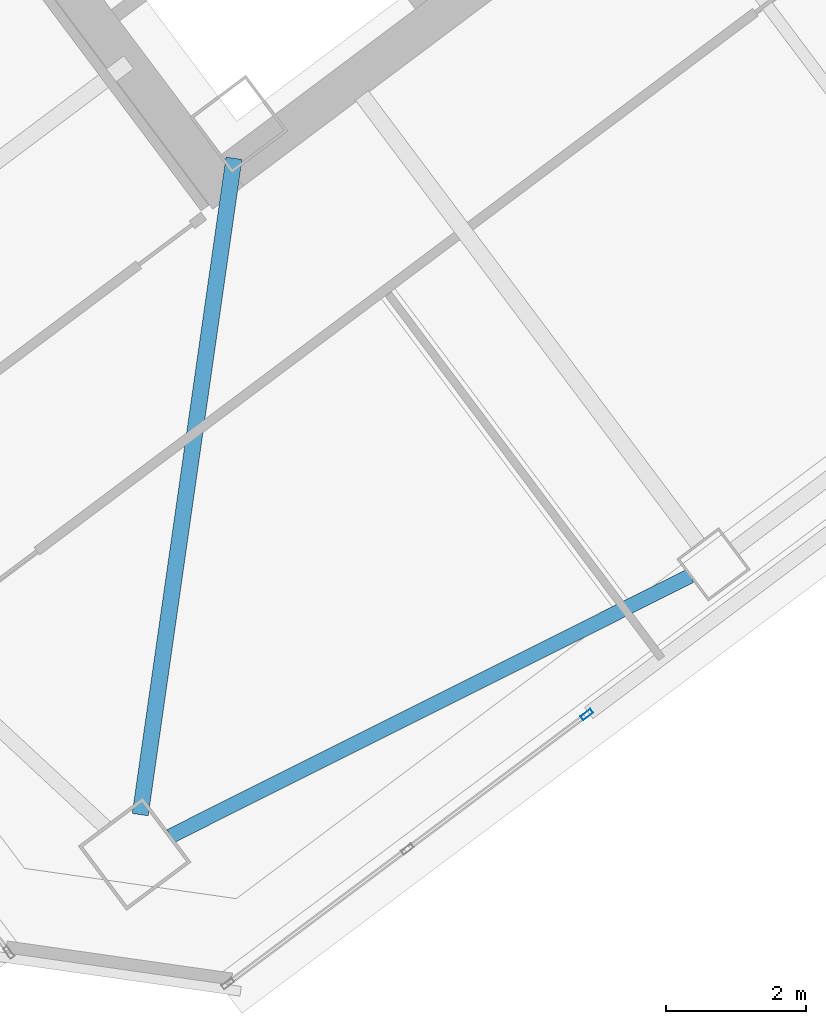
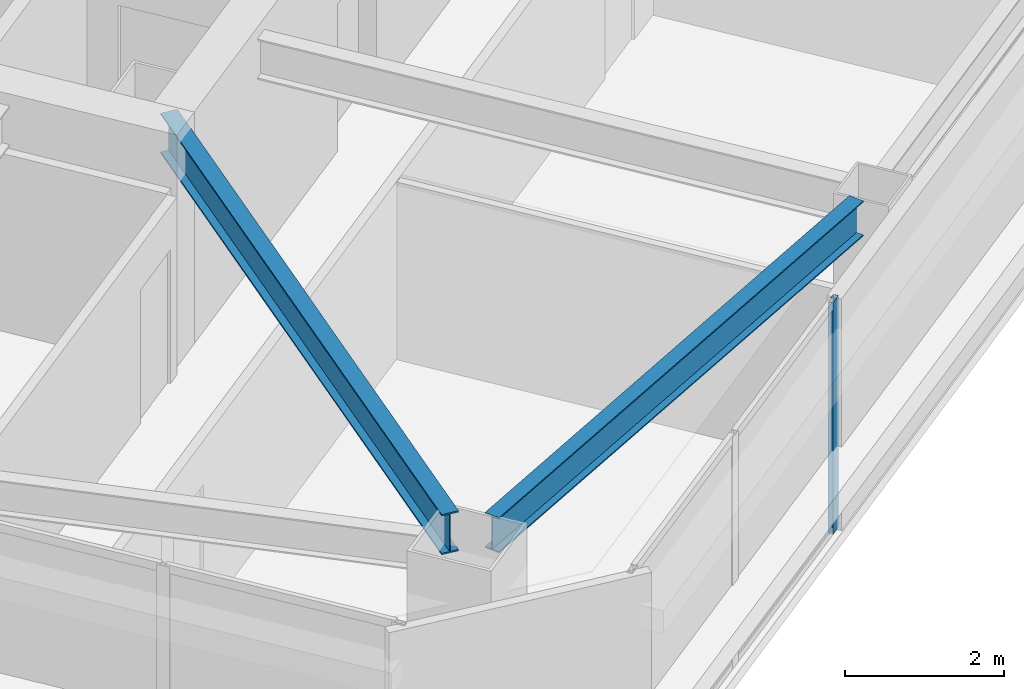
# One storey, part 19 of 43: 2 beams, 1 member, 1 element without a shape of its own.
"""IFC4 building model written with IfcOpenShell, lengths in metres."""

from ifc_helpers import new_model, si_unit, direction, frame, origin, origin_2d, place, context, subcontext, project, spatial, hollow_rectangle, i_section, extrude, material, material_profile, profile_set, type_object, element, aggregate, save


model = new_model("IFC4")

# Units and contexts
model_context = context("Model", 3, precision=1e-05, world=origin(), true_north=direction((0.0, 1.0)))
body_context = subcontext(model_context, "Body", "Model", "MODEL_VIEW")
ifc_project = project(units=[si_unit("LENGTHUNIT", "METRE"), si_unit("AREAUNIT", "SQUARE_METRE"), si_unit("VOLUMEUNIT", "CUBIC_METRE"), si_unit("PLANEANGLEUNIT", "RADIAN"), si_unit("MASSUNIT", "GRAM", prefix="KILO")], contexts=[model_context])

# Site, building, storey
site_placement = place(None, origin())
site = spatial("IfcSite", under=ifc_project, at=site_placement, CompositionType="ELEMENT")
building_placement = place(site_placement, origin())
building = spatial("IfcBuilding", under=site, at=building_placement, Name="Tashvorn Skyway Center", CompositionType="ELEMENT")
storey_placement = place(building_placement, frame((0.0, 0.0, 185.39990234375)))
storey = spatial("IfcBuildingStorey", under=building, at=storey_placement, Name="L50", CompositionType="ELEMENT", Elevation=185.39990234375)

# Beams
ifc_material_1 = material(Name="Steel ASTM A992 Grade 50", Category="steel")
ifc_material_profile_1 = material_profile(ifc_material_1, i_section(OverallWidth=0.22998046875, OverallDepth=0.616943359375, WebThickness=0.01318359375, FlangeThickness=0.022216796875, at=origin_2d()), Name="W24X94")
ifc_profile_set_1 = profile_set([ifc_material_profile_1], Name="Steel ASTM A992 Grade 50")
beam_type_1 = type_object("IfcBeamType", Name="BM-BEAM-W24X94", PredefinedType="BEAM", material=ifc_profile_set_1)
beam_1_placement = place(storey_placement, frame((111.1806640625, 12.26416015625, 3.0615234375), z_axis=(0.141417747326, 0.989950009213, 0.0), x_axis=(-0.989950009213, 0.141417747326, 0.0)))
element("IfcBeam", 1, at=beam_1_placement, inside=storey, type_object=beam_type_1, Name="Tower 2 L50 Primary Floor Girder MC-SW", PredefinedType="BEAM", context=body_context, shape_type="SweptSolid", body=[
    extrude(i_section(OverallWidth=0.22998046875, OverallDepth=0.616943359375, WebThickness=0.01318359375, FlangeThickness=0.022216796875, at=origin_2d()), origin(), (0.0, 0.0, 1.0), 9.470947265625),
])
ifc_material_profile_2 = material_profile(ifc_material_1, i_section(OverallWidth=0.2109375, OverallDepth=0.5390625, WebThickness=0.01171875, FlangeThickness=0.018798828125, at=origin_2d()), Name="W21X73")
ifc_profile_set_2 = profile_set([ifc_material_profile_2], Name="Steel ASTM A992 Grade 50")
beam_type_2 = type_object("IfcBeamType", Name="BM-SPANDREL-W21X73", PredefinedType="SPANDREL", material=ifc_profile_set_2)
beam_2_placement = place(storey_placement, frame((111.609619140625, 11.955078125, 3.1005859375), z_axis=(0.894209637559, 0.447648438059, 0.0), x_axis=(-0.447648438059, 0.894209637559, 0.0)))
element("IfcBeam", 2, at=beam_2_placement, inside=storey, type_object=beam_type_2, Name="Tower 2 L50 Spandrel Beam 01", PredefinedType="SPANDREL", context=body_context, shape_type="SweptSolid", body=[
    extrude(i_section(OverallWidth=0.2109375, OverallDepth=0.5390625, WebThickness=0.01171875, FlangeThickness=0.018798828125, at=origin_2d()), origin(), (0.0, 0.0, 1.0), 8.308349609375),
])

# Curtain wall, member
ifc_material_2 = material(Name="Thermally broken bronze-anodized aluminium 6063-T6", Category="aluminium")
curtain_wall_type = type_object("IfcCurtainWallType", Name="CW-CW-Z4", PredefinedType="NOTDEFINED", material=ifc_material_2)
curtain_wall_placement = place(storey_placement, origin())
curtain_wall = element("IfcCurtainWall", 3, at=curtain_wall_placement, inside=storey, type_object=curtain_wall_type, Name="Tower 2 L50 South Unitised Curtain Wall Glazing Group 3", PredefinedType="NOTDEFINED")
ifc_material_profile_3 = material_profile(ifc_material_2, hollow_rectangle(XDim=0.070068359375, YDim=0.179931640625, WallThickness=0.00390625, at=origin_2d()), Name="ALU-MULL-70x180")
ifc_profile_set_3 = profile_set([ifc_material_profile_3], Name="Thermally broken bronze-anodized aluminium 6063-T6")
member_type = type_object("IfcMemberType", Name="CWM-CW-Z4", PredefinedType="MULLION", material=ifc_profile_set_3)
member_placement = place(storey_placement, frame((117.56005859375, 13.695068359375, 0.0), z_axis=(0.0, 0.0, 1.0), x_axis=(0.600000000002, -0.799999999998, 0.0)))
member = element("IfcMember", 4, at=member_placement, type_object=member_type, Name="CW-Z4 mullion 1", PredefinedType="MULLION", context=body_context, shape_type="SweptSolid", body=[
    extrude(hollow_rectangle(XDim=0.070068359375, YDim=0.179931640625, WallThickness=0.00390625, at=origin_2d()), origin(), (0.0, 0.0, 1.0), 3.550048828125),
])
aggregate(curtain_wall, [member])

save(model, "model.ifc")
